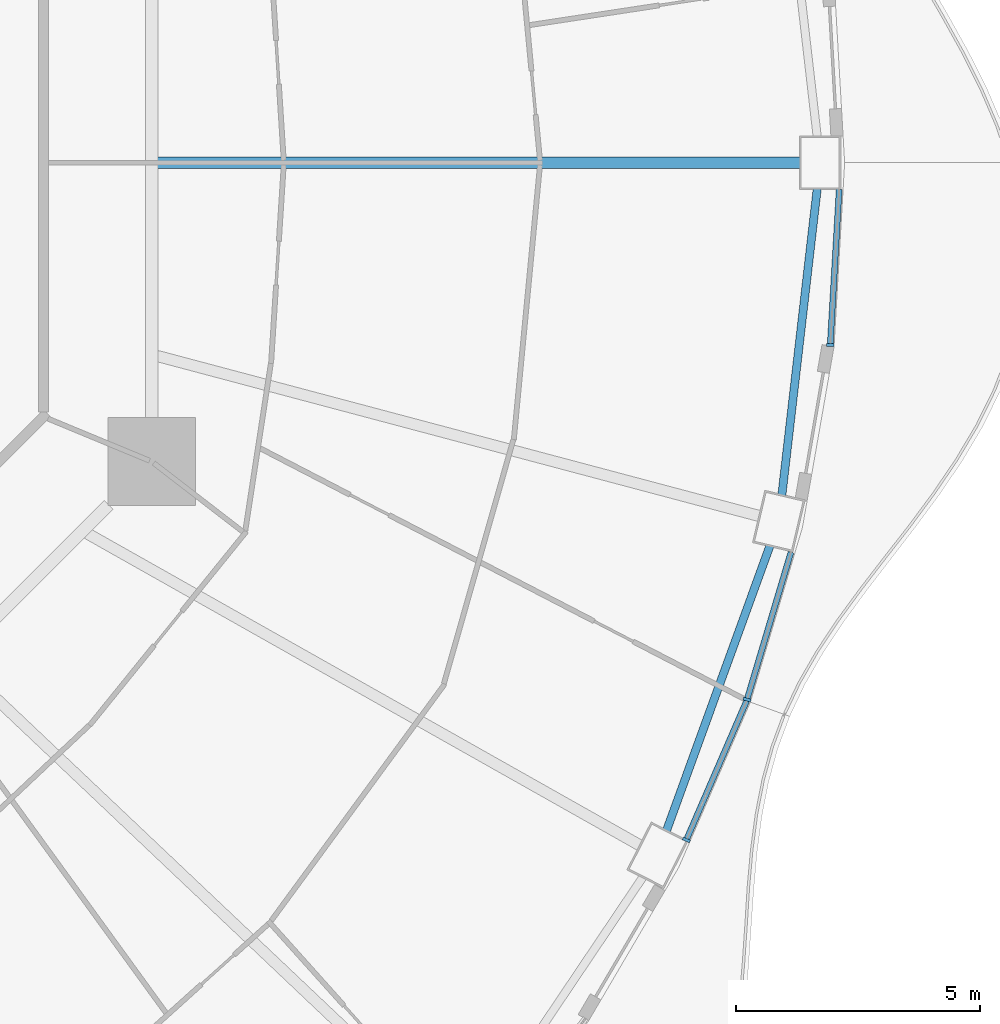
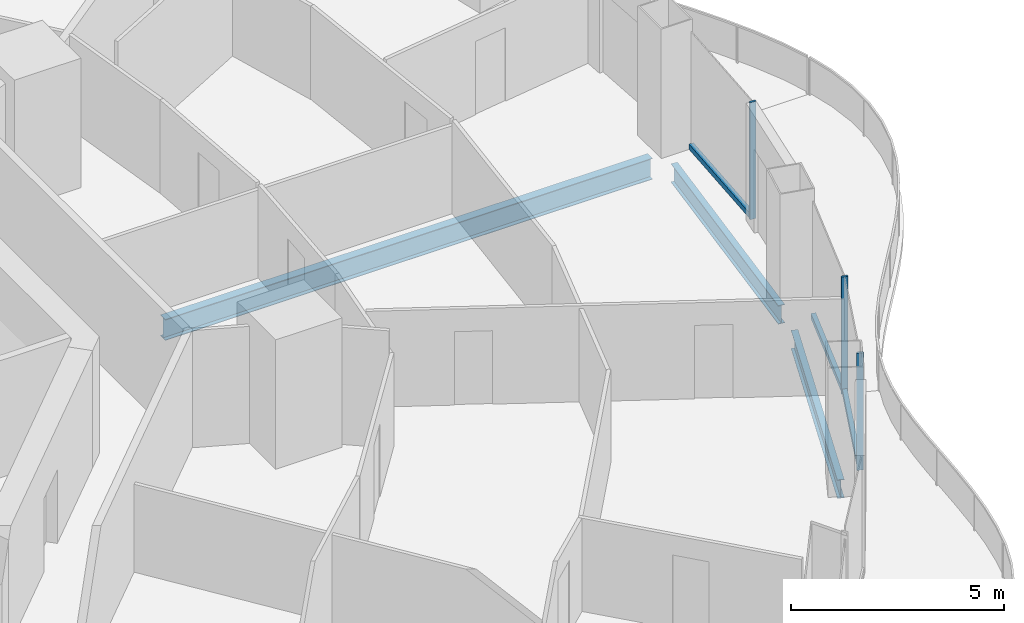
# One storey, part 5 of 19: 6 members, 3 beams, 3 elements without a shape of their own.
"""IFC4 building model written with IfcOpenShell, lengths in metres."""

from ifc_helpers import new_model, si_unit, direction, frame, origin, origin_2d, place, context, subcontext, project, spatial, rectangle, i_section, extrude, material, layer, layer_set, material_profile, profile_set, type_object, element, aggregate, save


model = new_model("IFC4")

# Units and contexts
model_context = context("Model", 3, precision=1e-05, world=origin(), true_north=direction((0.0, 1.0)))
body_context = subcontext(model_context, "Body", "Model", "MODEL_VIEW")
ifc_project = project(units=[si_unit("LENGTHUNIT", "METRE"), si_unit("AREAUNIT", "SQUARE_METRE"), si_unit("VOLUMEUNIT", "CUBIC_METRE"), si_unit("PLANEANGLEUNIT", "RADIAN"), si_unit("MASSUNIT", "GRAM", prefix="KILO")], contexts=[model_context])

# Site, building, storey
site_placement = place(None, origin())
site = spatial("IfcSite", under=ifc_project, at=site_placement, CompositionType="ELEMENT")
building_placement = place(site_placement, origin())
building = spatial("IfcBuilding", under=site, at=building_placement, Name="Nagisa Residences", CompositionType="ELEMENT")
storey_placement = place(building_placement, frame((0.0, 0.0, 202.89990234375)))
storey = spatial("IfcBuildingStorey", under=building, at=storey_placement, Name="L51", CompositionType="ELEMENT", Elevation=202.89990234375)

# Curtain wall, member
ifc_material_1 = material(Name="Concrete-coloured aluminium curtain wall system", Category="concrete")
ifc_layer = layer(ifc_material_1, 0.159912109375)
ifc_layer_set = layer_set([ifc_layer], Name="CW1 CURTAIN WALL")
curtain_wall_type = type_object("IfcCurtainWallType", Name="CW1 CURTAIN WALL", PredefinedType="NOTDEFINED", material=ifc_layer_set)
curtain_wall_1_placement = place(storey_placement, origin())
curtain_wall_1 = element("IfcCurtainWall", 1, at=curtain_wall_1_placement, inside=storey, type_object=curtain_wall_type, Name="cw:CW1:L51:44", PredefinedType="NOTDEFINED")
ifc_material_2 = material(Name="Concrete-coloured aluminium", Category="concrete")
ifc_material_profile_1 = material_profile(ifc_material_2, rectangle(XDim=0.159912109375, YDim=0.06005859375, at=origin_2d()), Name="CW1 MULLION 160x60")
ifc_profile_set_1 = profile_set([ifc_material_profile_1], Name="Concrete-coloured aluminium")
member_type_1 = type_object("IfcMemberType", Name="CW1 MULLION 160x60", PredefinedType="MULLION", material=ifc_profile_set_1)
member_1_placement = place(storey_placement, frame((25.732666015625, -13.87353515625, 0.0), z_axis=(0.0, 0.0, 1.0), x_axis=(-0.917543276295, 0.397635934147, 0.0)))
member_1 = element("IfcMember", 2, at=member_1_placement, type_object=member_type_1, Name="CW1 mullion", PredefinedType="MULLION", context=body_context, shape_type="SweptSolid", body=[
    extrude(rectangle(XDim=0.159912109375, YDim=0.06005859375, at=origin_2d()), origin(), (0.0, 0.0, 1.0), 3.35009765625),
])

curtain_wall_2_placement = place(storey_placement, origin())
curtain_wall_2 = element("IfcCurtainWall", 3, at=curtain_wall_2_placement, inside=storey, type_object=curtain_wall_type, Name="cw:CW1:L51:45", PredefinedType="NOTDEFINED")
member_2_placement = place(storey_placement, frame((26.975341796875, -10.998291015625, 0.0), z_axis=(0.0, 0.0, 1.0), x_axis=(-0.958271310082, 0.285860274038, 0.0)))
member_2 = element("IfcMember", 4, at=member_2_placement, type_object=member_type_1, Name="CW1 mullion", PredefinedType="MULLION", context=body_context, shape_type="SweptSolid", body=[
    extrude(rectangle(XDim=0.159912109375, YDim=0.06005859375, at=origin_2d()), origin(), (0.0, 0.0, 1.0), 3.35009765625),
])

curtain_wall_3_placement = place(storey_placement, origin())
curtain_wall_3 = element("IfcCurtainWall", 5, at=curtain_wall_3_placement, inside=storey, type_object=curtain_wall_type, Name="cw:CW1:L51:47", PredefinedType="NOTDEFINED")
member_3_placement = place(storey_placement, frame((28.6796875, -3.734375, 0.0), z_axis=(0.0, 0.0, 1.0), x_axis=(-0.998345305184, 0.057503492216, 0.0)))
member_3 = element("IfcMember", 6, at=member_3_placement, type_object=member_type_1, Name="CW1 mullion", PredefinedType="MULLION", context=body_context, shape_type="SweptSolid", body=[
    extrude(rectangle(XDim=0.159912109375, YDim=0.06005859375, at=origin_2d()), origin(), (0.0, 0.0, 1.0), 3.35009765625),
])

# Member
ifc_material_3 = material(Name="Concrete-coloured aluminium", Category="concrete")
ifc_material_profile_2 = material_profile(ifc_material_3, rectangle(XDim=0.1201171875, YDim=0.14990234375, at=origin_2d()), Name="CW1 TRANSOM 120x150")
ifc_profile_set_2 = profile_set([ifc_material_profile_2], Name="Concrete-coloured aluminium")
member_type_2 = type_object("IfcMemberType", Name="CW1 TRANSOM 120x150", PredefinedType="USERDEFINED", material=ifc_profile_set_2)
member_4_placement = place(storey_placement, frame((25.720703125, -13.901123046875, 0.0751953125), z_axis=(0.397592173732, 0.917562239517, 0.0), x_axis=(-0.917562239517, 0.397592173732, 0.0)))
member_4 = element("IfcMember", 7, at=member_4_placement, type_object=member_type_2, Name="CW1 transom", ObjectType="TRANSOM", PredefinedType="USERDEFINED", context=body_context, shape_type="SweptSolid", body=[
    extrude(rectangle(XDim=0.1201171875, YDim=0.14990234375, at=origin_2d()), origin(), (0.0, 0.0, 1.0), 3.14208984375),
])

aggregate(curtain_wall_1, [member_1, member_4])

member_5_placement = place(storey_placement, frame((26.966796875, -11.027099609375, 0.0751953125), z_axis=(0.28584838049, 0.958274857946, 0.0), x_axis=(-0.958274857946, 0.28584838049, 0.0)))
member_5 = element("IfcMember", 8, at=member_5_placement, type_object=member_type_2, Name="CW1 transom", ObjectType="TRANSOM", PredefinedType="USERDEFINED", context=body_context, shape_type="SweptSolid", body=[
    extrude(rectangle(XDim=0.1201171875, YDim=0.14990234375, at=origin_2d()), origin(), (0.0, 0.0, 1.0), 3.182373046875),
])

aggregate(curtain_wall_2, [member_2, member_5])

member_6_placement = place(storey_placement, frame((28.677978515625, -3.764404296875, 0.0751953125), z_axis=(0.057528345118, 0.998343873376, 0.0), x_axis=(-0.998343873376, 0.057528345118, 0.0)))
member_6 = element("IfcMember", 9, at=member_6_placement, type_object=member_type_2, Name="CW1 transom", ObjectType="TRANSOM", PredefinedType="USERDEFINED", context=body_context, shape_type="SweptSolid", body=[
    extrude(rectangle(XDim=0.1201171875, YDim=0.14990234375, at=origin_2d()), origin(), (0.0, 0.0, 1.0), 3.225341796875),
])

aggregate(curtain_wall_3, [member_3, member_6])

# Beams
ifc_material_4 = material(Name="Steel ASTM A572 Gr 50", Category="steel")
ifc_material_profile_3 = material_profile(ifc_material_4, i_section(OverallWidth=0.166015625, OverallDepth=0.534912109375, WebThickness=0.01025390625, FlangeThickness=0.0166015625, at=origin_2d()), Name="W530x85")
ifc_profile_set_3 = profile_set([ifc_material_profile_3], Name="Steel ASTM A572 Gr 50")
beam_type_1 = type_object("IfcBeamType", Name="Perimeter ring beam W530x85", PredefinedType="BEAM", material=ifc_profile_set_3)
beam_1_placement = place(storey_placement, frame((25.32470703125, -13.685546875, -0.52734375), z_axis=(0.341320243926, 0.939947068237, 0.0), x_axis=(-0.939947068237, 0.341320243926, 0.0)))
element("IfcBeam", 10, at=beam_1_placement, inside=storey, type_object=beam_type_1, Name="beam:L51:pb23", PredefinedType="BEAM", context=body_context, shape_type="SweptSolid", body=[
    extrude(i_section(OverallWidth=0.166015625, OverallDepth=0.534912109375, WebThickness=0.01025390625, FlangeThickness=0.0166015625, at=origin_2d()), origin(), (0.0, 0.0, 1.0), 6.212890625),
])
beam_2_placement = place(storey_placement, frame((27.688720703125, -6.813720703125, -0.52734375), z_axis=(0.11463289794, 0.993407921606, 0.0), x_axis=(-0.993407921606, 0.11463289794, 0.0)))
element("IfcBeam", 11, at=beam_2_placement, inside=storey, type_object=beam_type_1, Name="beam:L51:pb24", PredefinedType="BEAM", context=body_context, shape_type="SweptSolid", body=[
    extrude(i_section(OverallWidth=0.166015625, OverallDepth=0.534912109375, WebThickness=0.01025390625, FlangeThickness=0.0166015625, at=origin_2d()), origin(), (0.0, 0.0, 1.0), 6.325439453125),
])
ifc_material_5 = material(Name="Steel ASTM A572 Gr 50", Category="steel")
ifc_material_profile_4 = material_profile(ifc_material_5, i_section(OverallWidth=0.22802734375, OverallDepth=0.60302734375, WebThickness=0.010498046875, FlangeThickness=0.014892578125, at=origin_2d()), Name="W610x101")
ifc_profile_set_4 = profile_set([ifc_material_profile_4], Name="Steel ASTM A572 Gr 50")
beam_type_2 = type_object("IfcBeamType", Name="Radial beam W610x101", PredefinedType="BEAM", material=ifc_profile_set_4)
beam_3_placement = place(storey_placement, frame((28.070068359375, 0.0, -0.5615234375), z_axis=(-1.0, 0.0, 0.0), x_axis=(0.0, -1.0, 0.0)))
element("IfcBeam", 12, at=beam_3_placement, inside=storey, type_object=beam_type_2, Name="beam:L51:rb01", PredefinedType="BEAM", context=body_context, shape_type="SweptSolid", body=[
    extrude(i_section(OverallWidth=0.22802734375, OverallDepth=0.60302734375, WebThickness=0.010498046875, FlangeThickness=0.014892578125, at=origin_2d()), origin(), (0.0, 0.0, 1.0), 13.180908203125),
])

save(model, "model.ifc")
